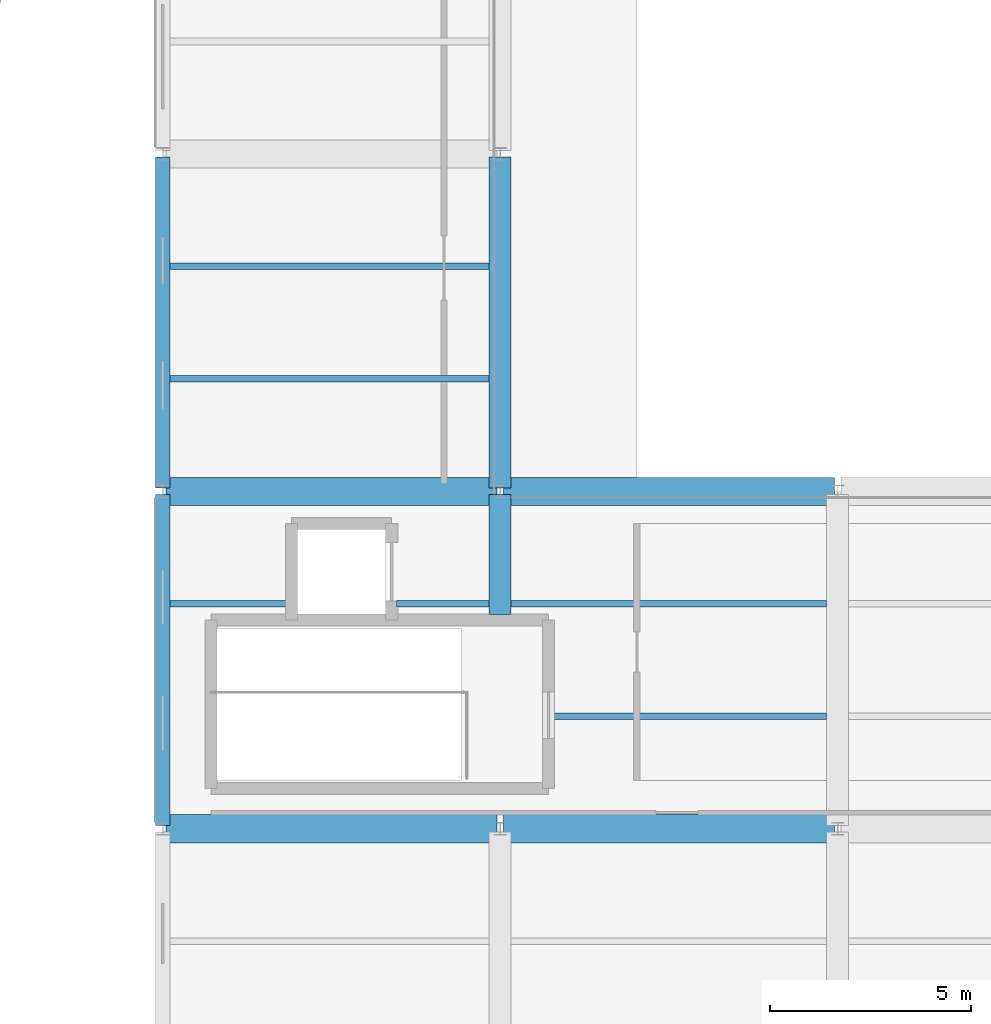
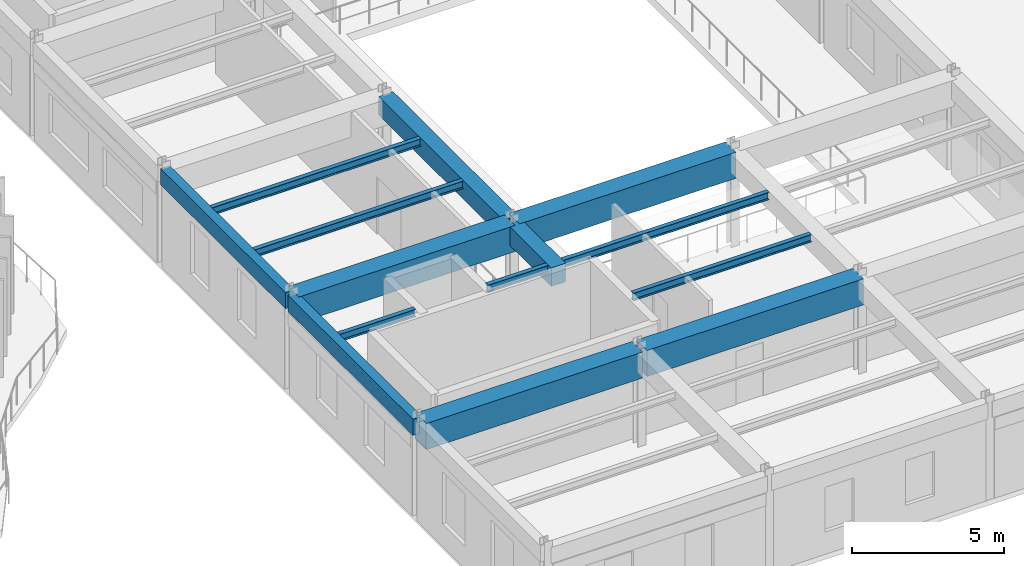
# One storey, part 74 of 114: 14 beams.
"""IFC4 building model written with IfcOpenShell, lengths in metres."""

import ifcopenshell
import ifcopenshell.guid

model = None  # the IFC model being written
_history = None  # IfcOwnerHistory: only IFC2X3 demands one
_inside = {}  # id of a spatial element -> (the spatial element, [elements in it])
_under = {}  # id of a project, library or spatial element -> (it, [spatial elements below it])
_declared = {}  # id of a project -> (the project, [libraries it declares])
_typed = {}  # id of a type object -> (the type object, [elements of that type])
_made_of = {}  # id of a material, layer set ... -> (it, [elements and type objects made of it])


def new_model(schema):
    """Start an empty IFC model of exactly this schema.

    Asked for "IFC4X3", IfcOpenShell would pick the latest addendum, in which some entities
    have other attributes; the version numbers below select the first issue.
    IFC2X3 requires an IfcOwnerHistory on every rooted entity: one is made here for all.
    """
    global model, _history
    if schema == "IFC4X3":
        model = ifcopenshell.file(schema_version=(4, 3, 0, 0))
    else:
        model = ifcopenshell.file(schema=schema)
    _inside.clear()
    _under.clear()
    _declared.clear()
    _typed.clear()
    _made_of.clear()
    _history = None
    if model.schema == "IFC2X3":
        org = make("IfcOrganization", Name="unknown")
        user = make(
            "IfcPersonAndOrganization",
            ThePerson=make("IfcPerson", FamilyName="unknown"),
            TheOrganization=org,
        )
        app = make(
            "IfcApplication",
            ApplicationDeveloper=org,
            Version="unknown",
            ApplicationFullName="unknown",
            ApplicationIdentifier="unknown",
        )
        _history = make(
            "IfcOwnerHistory",
            OwningUser=user,
            OwningApplication=app,
            ChangeAction="ADDED",
            CreationDate=0,
        )
    return model


def make(cls, **values):
    """One entity of the class cls with the attributes given. An attribute that is None is left unset."""
    return model.create_entity(
        cls, **{name: value for name, value in values.items() if value is not None}
    )


def rooted(cls, **values):
    """An entity with a GlobalId (a new one), such as an element, a storey or a relation."""
    return make(cls, GlobalId=ifcopenshell.guid.new(), OwnerHistory=_history, **values)


def si_unit(unit_type, name, prefix=None):
    """IfcSIUnit, for example si_unit("LENGTHUNIT", "METRE", prefix="MILLI")."""
    return make("IfcSIUnit", UnitType=unit_type, Prefix=prefix, Name=name)


def assignment(units):
    """IfcUnitAssignment: the units of a project."""
    return None if units is None else make("IfcUnitAssignment", Units=units)


def point(xyz):
    """IfcCartesianPoint."""
    return None if xyz is None else make("IfcCartesianPoint", Coordinates=xyz)


def direction(xyz):
    """IfcDirection."""
    return None if xyz is None else make("IfcDirection", DirectionRatios=xyz)


def frame(location, z_axis=None, x_axis=None):
    """IfcAxis2Placement3D, a coordinate frame: its origin and axes. An axis left out is left unset."""
    return make(
        "IfcAxis2Placement3D",
        Location=point(location),
        Axis=direction(z_axis),
        RefDirection=direction(x_axis),
    )


def frame_2d(location, x_axis=None):
    """IfcAxis2Placement2D, a coordinate frame in the plane: its origin and x axis."""
    return make(
        "IfcAxis2Placement2D", Location=point(location), RefDirection=direction(x_axis)
    )


def origin():
    """The frame at (0, 0, 0) with its axes left unset."""
    return frame((0.0, 0.0, 0.0))


def origin_2d():
    """The frame at (0, 0) in the plane with its x axis left unset."""
    return frame_2d((0.0, 0.0))


def place(relative_to, where):
    """IfcLocalPlacement: puts the frame where relative to a parent placement (None: the world)."""
    return make(
        "IfcLocalPlacement", PlacementRelTo=relative_to, RelativePlacement=where
    )


def context(
    kind, dimensions, precision=None, world=None, true_north=None, identifier=None
):
    """IfcGeometricRepresentationContext, for example the 3D "Model" context."""
    return make(
        "IfcGeometricRepresentationContext",
        ContextIdentifier=identifier,
        ContextType=kind,
        CoordinateSpaceDimension=dimensions,
        Precision=precision,
        WorldCoordinateSystem=world,
        TrueNorth=true_north,
    )


def subcontext(parent, identifier, kind, view, scale=None):
    """IfcGeometricRepresentationSubContext, for example "Body" below "Model"."""
    return make(
        "IfcGeometricRepresentationSubContext",
        ContextIdentifier=identifier,
        ContextType=kind,
        ParentContext=parent,
        TargetScale=scale,
        TargetView=view,
    )


def project(units=None, contexts=None):
    """IfcProject with its units and contexts."""
    return rooted(
        "IfcProject",
        Name="project",
        RepresentationContexts=contexts,
        UnitsInContext=assignment(units),
    )


def spatial(cls, under=None, at=None, **own):
    """A site, building, storey or space (cls), placed at a placement, below another one or the project."""
    s = rooted(cls, ObjectPlacement=at, **own)
    if under is not None:
        _under.setdefault(under.id(), (under, []))[1].append(s)
    return s


def profile(cls, at=None, kind="AREA", **sizes):
    """A parametric profile (cls). Its sizes go by their IFC names, for example OverallWidth=200.0."""
    return make(cls, ProfileType=kind, Position=at, **sizes)


def rectangle(**sizes):
    """IfcRectangleProfileDef."""
    return profile("IfcRectangleProfileDef", **sizes)


def i_section(**sizes):
    """IfcIShapeProfileDef."""
    return profile("IfcIShapeProfileDef", **sizes)


def extrude(swept, where, along, depth):
    """IfcExtrudedAreaSolid: the profile swept, set in the frame where, extruded along a direction by depth."""
    return make(
        "IfcExtrudedAreaSolid",
        SweptArea=swept,
        Position=where,
        ExtrudedDirection=direction(along),
        Depth=depth,
    )


def shape(context_of_items, identifier, shape_type, items):
    """IfcShapeRepresentation: the items that make up one representation, for example the "Body"."""
    return make(
        "IfcShapeRepresentation",
        ContextOfItems=context_of_items,
        RepresentationIdentifier=identifier,
        RepresentationType=shape_type,
        Items=items,
    )


def material(Name=None, Category=None):
    """IfcMaterial."""
    return make("IfcMaterial", Name=Name, Category=Category)


def material_profile(
    of_material, cross_section, Name=None, Category=None, Priority=None
):
    """IfcMaterialProfile: a cross section and its material."""
    return make(
        "IfcMaterialProfile",
        Name=Name,
        Material=of_material,
        Profile=cross_section,
        Priority=Priority,
        Category=Category,
    )


def profile_set(profiles, Name=None, composite=None):
    """IfcMaterialProfileSet."""
    return make(
        "IfcMaterialProfileSet",
        Name=Name,
        MaterialProfiles=profiles,
        CompositeProfile=composite,
    )


def made_of(thing, what):
    """Note that an element or type object is made of a material, layer set ...; save() writes the relation."""
    if what is not None:
        _made_of.setdefault(what.id(), (what, []))[1].append(thing)
    return thing


def type_object(cls, material=None, **own):
    """A type object (cls), such as IfcWallType, which elements share."""
    return made_of(rooted(cls, **own), material)


def element(
    cls,
    number,
    at=None,
    inside=None,
    cuts=None,
    type_object=None,
    material=None,
    context=None,
    identifier="Body",
    shape_type=None,
    held_by="IfcProductDefinitionShape",
    body=None,
    shapes=None,
    **own,
):
    """One element of the class cls, such as IfcWall. Its Tag is "e" and its number.

    at: its placement. inside: the storey or other place that contains it. cuts: it is an
    opening in that element (IfcRelVoidsElement). A single representation is given by context,
    identifier, shape_type and body (its items); several are given by shapes. held_by: the class
    of the entity that holds the representations. save() writes the other relations.
    """
    e = rooted(cls, Tag="e%d" % number, ObjectPlacement=at, **own)
    if body is not None:
        shapes = [shape(context, identifier, shape_type, body)]
    if shapes is not None:
        e.Representation = make(held_by, Representations=shapes)
    if inside is not None:
        _inside.setdefault(inside.id(), (inside, []))[1].append(e)
    if cuts is not None:
        rooted(
            "IfcRelVoidsElement", RelatingBuildingElement=cuts, RelatedOpeningElement=e
        )
    if type_object is not None:
        _typed.setdefault(type_object.id(), (type_object, []))[1].append(e)
    return made_of(e, material)


def aggregate(whole, parts):
    """IfcRelAggregates: a whole, such as a stair, and the parts it consists of."""
    return rooted("IfcRelAggregates", RelatingObject=whole, RelatedObjects=parts)


def save(model, path):
    """Write the relations noted so far, then the file.

    IfcRelAggregates (storeys below a building ...), IfcRelContainedInSpatialStructure (elements
    in a storey), IfcRelDefinesByType, IfcRelAssociatesMaterial and IfcRelDeclares: one each for
    every whole, place, type object, material and project.
    """
    for whole, parts in _under.values():
        aggregate(whole, parts)
    for where, things in _inside.values():
        rooted(
            "IfcRelContainedInSpatialStructure",
            RelatedElements=things,
            RelatingStructure=where,
        )
    for kind, things in _typed.values():
        rooted("IfcRelDefinesByType", RelatedObjects=things, RelatingType=kind)
    for what, things in _made_of.values():
        rooted("IfcRelAssociatesMaterial", RelatedObjects=things, RelatingMaterial=what)
    for by, libraries in _declared.values():
        rooted("IfcRelDeclares", RelatingContext=by, RelatedDefinitions=libraries)
    model.write(path)


model = new_model("IFC4")

# Units and contexts
model_context = context("Model", 3, precision=1e-05, world=origin(), true_north=direction((0.0, 1.0)))
body_context = subcontext(model_context, "Body", "Model", "MODEL_VIEW")
ifc_project = project(units=[si_unit("LENGTHUNIT", "METRE"), si_unit("AREAUNIT", "SQUARE_METRE"), si_unit("VOLUMEUNIT", "CUBIC_METRE"), si_unit("PLANEANGLEUNIT", "RADIAN"), si_unit("MASSUNIT", "GRAM", prefix="KILO"), si_unit("THERMODYNAMICTEMPERATUREUNIT", "KELVIN"), si_unit("POWERUNIT", "WATT")], contexts=[model_context])

# Site, building, storey
site_placement = place(None, origin())
site = spatial("IfcSite", under=ifc_project, at=site_placement, CompositionType="ELEMENT")
building_placement = place(site_placement, origin())
building = spatial("IfcBuilding", under=site, at=building_placement, Name="Darbajah Civic Hall", CompositionType="ELEMENT")
storey_placement = place(building_placement, frame((0.0, 0.0, 13.800048828125)))
storey = spatial("IfcBuildingStorey", under=building, at=storey_placement, Name="L03", CompositionType="ELEMENT", Elevation=13.800048828125)

# Beams
ifc_material_1 = material(Name="Concrete C45/55", Category="concrete")
ifc_material_profile_1 = material_profile(ifc_material_1, rectangle(XDim=0.550048828125, YDim=0.75, at=origin_2d()), Name="RC BEAM 550x750")
ifc_profile_set_1 = profile_set([ifc_material_profile_1], Name="Concrete C45/55")
beam_type_1 = type_object("IfcBeamType", Name="RC BEAM 550x750", PredefinedType="BEAM", material=ifc_profile_set_1)
beam_1_placement = place(storey_placement, frame((153.0, 70.139892578125, 3.554931640625), z_axis=(0.0, 1.0, 0.0), x_axis=(-1.0, 0.0, 0.0)))
element("IfcBeam", 1, at=beam_1_placement, inside=storey, type_object=beam_type_1, Name="L03 beam BM-5575", PredefinedType="BEAM", context=body_context, shape_type="SweptSolid", body=[
    extrude(rectangle(XDim=0.550048828125, YDim=0.75, at=origin_2d()), origin(), (0.0, 0.0, 1.0), 2.980224609375),
])
beam_2_placement = place(storey_placement, frame((153.0, 73.280029296875, 3.554931640625), z_axis=(0.0, 1.0, 0.0), x_axis=(-1.0, 0.0, 0.0)))
element("IfcBeam", 2, at=beam_2_placement, inside=storey, type_object=beam_type_1, Name="L03 beam BM-5575", PredefinedType="BEAM", context=body_context, shape_type="SweptSolid", body=[
    extrude(rectangle(XDim=0.550048828125, YDim=0.75, at=origin_2d()), origin(), (0.0, 0.0, 1.0), 8.239990234375),
])
ifc_material_2 = material(Name="Concrete C50/60", Category="concrete")
ifc_material_profile_2 = material_profile(ifc_material_2, rectangle(XDim=0.699951171875, YDim=1.050048828125, at=origin_2d()), Name="RC GIRDER 700x1050")
ifc_profile_set_2 = profile_set([ifc_material_profile_2], Name="Concrete C50/60")
beam_type_2 = type_object("IfcBeamType", Name="RC GIRDER 700x1050", PredefinedType="BEAM", material=ifc_profile_set_2)
for number, where, z_axis, x_axis, name in (
    (3, (144.679931640625, 64.800048828125, 3.405029296875), (1.0, 0.0, 0.0), (0.0, 1.0, 0.0), "L03 beam BG-7010"),
    (4, (153.080078125, 64.800048828125, 3.405029296875), (1.0, 0.0, 0.0), (0.0, 1.0, 0.0), "L03 beam BG-7010"),
    (5, (144.679931640625, 73.199951171875, 3.405029296875), (1.0, 0.0, 0.0), (0.0, 1.0, 0.0), "L03 beam BG-7010"),
    (6, (153.080078125, 73.199951171875, 3.405029296875), (1.0, 0.0, 0.0), (0.0, 1.0, 0.0), "L03 beam BG-7010"),
):
    element("IfcBeam", number, at=place(storey_placement, frame(where, z_axis=z_axis, x_axis=x_axis)), inside=storey, type_object=beam_type_2, Name=name, PredefinedType="BEAM", context=body_context, shape_type="SweptSolid", body=[
        extrude(rectangle(XDim=0.699951171875, YDim=1.050048828125, at=origin_2d()), origin(), (0.0, 0.0, 1.0), 8.239990234375),
    ])
ifc_material_profile_3 = material_profile(ifc_material_1, rectangle(XDim=0.35009765625, YDim=0.64990234375, at=origin_2d()), Name="RC SPANDREL 350x650")
ifc_profile_set_3 = profile_set([ifc_material_profile_3], Name="Concrete C45/55")
beam_type_3 = type_object("IfcBeamType", Name="RC SPANDREL 350x650", PredefinedType="SPANDREL", material=ifc_profile_set_3)
beam_3_placement = place(storey_placement, frame((144.60009765625, 64.8798828125, 3.60498046875), z_axis=(0.0, 1.0, 0.0), x_axis=(-1.0, 0.0, 0.0)))
element("IfcBeam", 7, at=beam_3_placement, inside=storey, type_object=beam_type_3, Name="L03 beam SP-3565", PredefinedType="SPANDREL", context=body_context, shape_type="SweptSolid", body=[
    extrude(rectangle(XDim=0.35009765625, YDim=0.64990234375, at=origin_2d()), origin(), (0.0, 0.0, 1.0), 8.240234375),
])
beam_4_placement = place(storey_placement, frame((144.60009765625, 73.280029296875, 3.60498046875), z_axis=(0.0, 1.0, 0.0), x_axis=(-1.0, 0.0, 0.0)))
element("IfcBeam", 8, at=beam_4_placement, inside=storey, type_object=beam_type_3, Name="L03 beam SP-3565", PredefinedType="SPANDREL", context=body_context, shape_type="SweptSolid", body=[
    extrude(rectangle(XDim=0.35009765625, YDim=0.64990234375, at=origin_2d()), origin(), (0.0, 0.0, 1.0), 8.239990234375),
])
ifc_material_3 = material(Name="Steel S355JR", Category="steel")
ifc_material_profile_4 = material_profile(ifc_material_3, i_section(OverallWidth=0.165771484375, OverallDepth=0.306640625, WebThickness=0.006591796875, FlangeThickness=0.01171875, FilletRadius=0.0087890625, at=origin_2d()), Name="UB 305x165x46")
ifc_profile_set_4 = profile_set([ifc_material_profile_4], Name="Steel S355JR")
beam_type_4 = type_object("IfcBeamType", Name="UB 305x165x46", PredefinedType="JOIST", material=ifc_profile_set_4)
beam_5_placement = place(storey_placement, frame((144.77490234375, 70.39990234375, 3.776611328125), z_axis=(1.0, 0.0, 0.0), x_axis=(0.0, 1.0, 0.0)))
element("IfcBeam", 9, at=beam_5_placement, inside=storey, type_object=beam_type_4, Name="L03 beam SJ-305", PredefinedType="JOIST", context=body_context, shape_type="SweptSolid", body=[
    extrude(i_section(OverallWidth=0.165771484375, OverallDepth=0.306640625, WebThickness=0.006591796875, FlangeThickness=0.01171875, FilletRadius=0.0087890625, at=origin_2d()), origin(), (0.0, 0.0, 1.0), 2.905029296875),
])
beam_6_placement = place(storey_placement, frame((150.419921875, 70.39990234375, 3.776611328125), z_axis=(1.0, 0.0, 0.0), x_axis=(0.0, 1.0, 0.0)))
element("IfcBeam", 10, at=beam_6_placement, inside=storey, type_object=beam_type_4, Name="L03 beam SJ-305", PredefinedType="JOIST", context=body_context, shape_type="SweptSolid", body=[
    extrude(i_section(OverallWidth=0.165771484375, OverallDepth=0.306640625, WebThickness=0.006591796875, FlangeThickness=0.01171875, FilletRadius=0.0087890625, at=origin_2d()), origin(), (0.0, 0.0, 1.0), 2.30517578125),
])
for number, where, z_axis, x_axis, name in (
    (11, (144.77490234375, 76.0, 3.776611328125), (1.0, 0.0, 0.0), (0.0, 1.0, 0.0), "L03 beam SJ-305"),
    (12, (144.77490234375, 78.800048828125, 3.776611328125), (1.0, 0.0, 0.0), (0.0, 1.0, 0.0), "L03 beam SJ-305"),
):
    element("IfcBeam", number, at=place(storey_placement, frame(where, z_axis=z_axis, x_axis=x_axis)), inside=storey, type_object=beam_type_4, Name=name, PredefinedType="JOIST", context=body_context, shape_type="SweptSolid", body=[
        extrude(i_section(OverallWidth=0.165771484375, OverallDepth=0.306640625, WebThickness=0.006591796875, FlangeThickness=0.01171875, FilletRadius=0.0087890625, at=origin_2d()), origin(), (0.0, 0.0, 1.0), 7.9501953125),
    ])
beam_7_placement = place(storey_placement, frame((154.340087890625, 67.60009765625, 3.776611328125), z_axis=(1.0, 0.0, 0.0), x_axis=(0.0, 1.0, 0.0)))
element("IfcBeam", 13, at=beam_7_placement, inside=storey, type_object=beam_type_4, Name="L03 beam SJ-305", PredefinedType="JOIST", context=body_context, shape_type="SweptSolid", body=[
    extrude(i_section(OverallWidth=0.165771484375, OverallDepth=0.306640625, WebThickness=0.006591796875, FlangeThickness=0.01171875, FilletRadius=0.0087890625, at=origin_2d()), origin(), (0.0, 0.0, 1.0), 6.784912109375),
])
beam_8_placement = place(storey_placement, frame((153.27490234375, 70.39990234375, 3.776611328125), z_axis=(1.0, 0.0, 0.0), x_axis=(0.0, 1.0, 0.0)))
element("IfcBeam", 14, at=beam_8_placement, inside=storey, type_object=beam_type_4, Name="L03 beam SJ-305", PredefinedType="JOIST", context=body_context, shape_type="SweptSolid", body=[
    extrude(i_section(OverallWidth=0.165771484375, OverallDepth=0.306640625, WebThickness=0.006591796875, FlangeThickness=0.01171875, FilletRadius=0.0087890625, at=origin_2d()), origin(), (0.0, 0.0, 1.0), 7.85009765625),
])

save(model, "model.ifc")
